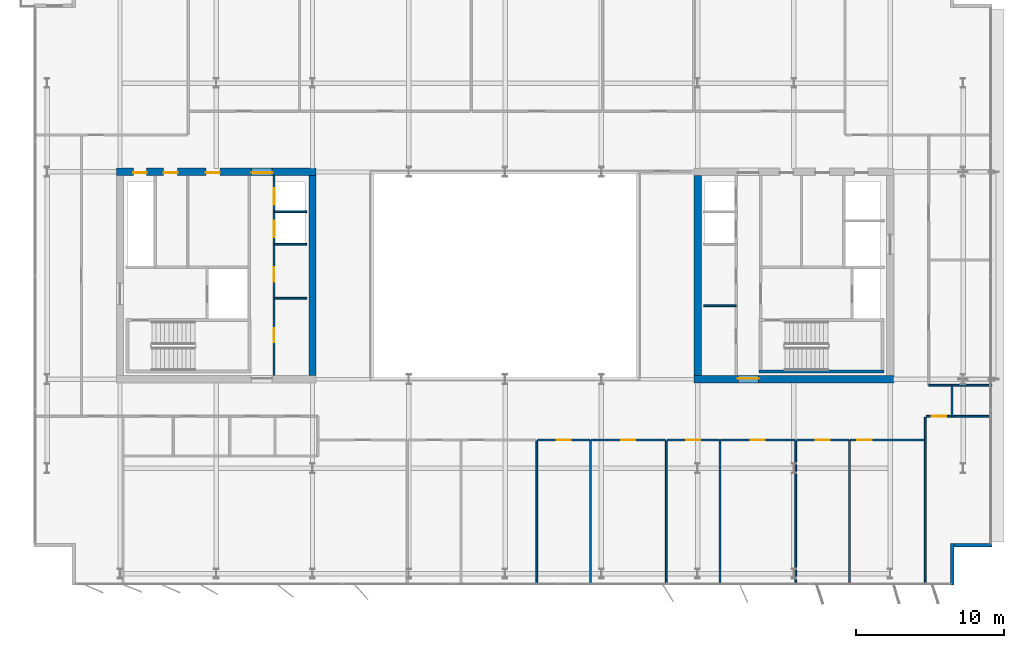
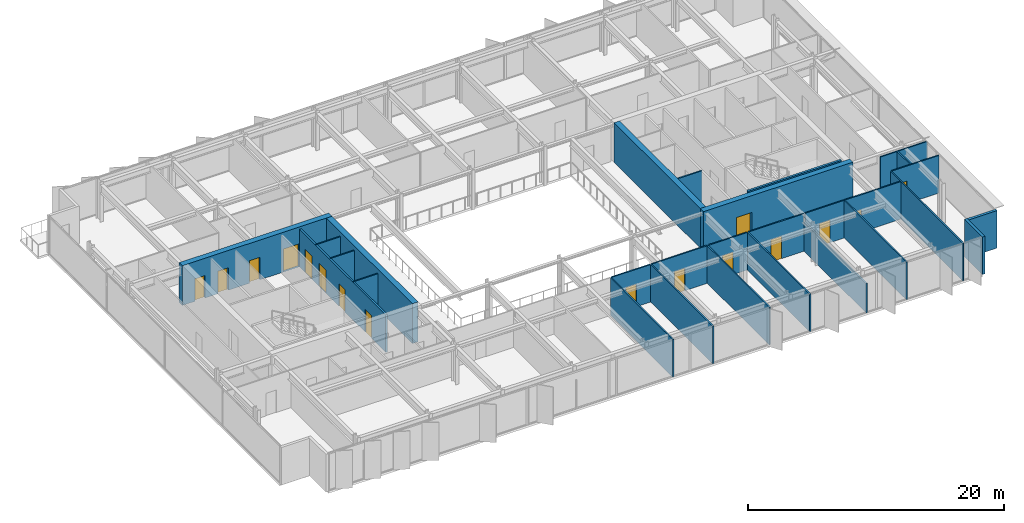
# One storey, part 14 of 20: 28 walls, 16 doors, 16 openings.
"""IFC4 building model written with IfcOpenShell, lengths in metres."""

import ifcopenshell
import ifcopenshell.guid

model = None  # the IFC model being written
_history = None  # IfcOwnerHistory: only IFC2X3 demands one
_inside = {}  # id of a spatial element -> (the spatial element, [elements in it])
_under = {}  # id of a project, library or spatial element -> (it, [spatial elements below it])
_declared = {}  # id of a project -> (the project, [libraries it declares])
_typed = {}  # id of a type object -> (the type object, [elements of that type])
_made_of = {}  # id of a material, layer set ... -> (it, [elements and type objects made of it])


def new_model(schema):
    """Start an empty IFC model of exactly this schema.

    Asked for "IFC4X3", IfcOpenShell would pick the latest addendum, in which some entities
    have other attributes; the version numbers below select the first issue.
    IFC2X3 requires an IfcOwnerHistory on every rooted entity: one is made here for all.
    """
    global model, _history
    if schema == "IFC4X3":
        model = ifcopenshell.file(schema_version=(4, 3, 0, 0))
    else:
        model = ifcopenshell.file(schema=schema)
    _inside.clear()
    _under.clear()
    _declared.clear()
    _typed.clear()
    _made_of.clear()
    _history = None
    if model.schema == "IFC2X3":
        org = make("IfcOrganization", Name="unknown")
        user = make(
            "IfcPersonAndOrganization",
            ThePerson=make("IfcPerson", FamilyName="unknown"),
            TheOrganization=org,
        )
        app = make(
            "IfcApplication",
            ApplicationDeveloper=org,
            Version="unknown",
            ApplicationFullName="unknown",
            ApplicationIdentifier="unknown",
        )
        _history = make(
            "IfcOwnerHistory",
            OwningUser=user,
            OwningApplication=app,
            ChangeAction="ADDED",
            CreationDate=0,
        )
    return model


def make(cls, **values):
    """One entity of the class cls with the attributes given. An attribute that is None is left unset."""
    return model.create_entity(
        cls, **{name: value for name, value in values.items() if value is not None}
    )


def rooted(cls, **values):
    """An entity with a GlobalId (a new one), such as an element, a storey or a relation."""
    return make(cls, GlobalId=ifcopenshell.guid.new(), OwnerHistory=_history, **values)


def si_unit(unit_type, name, prefix=None):
    """IfcSIUnit, for example si_unit("LENGTHUNIT", "METRE", prefix="MILLI")."""
    return make("IfcSIUnit", UnitType=unit_type, Prefix=prefix, Name=name)


def assignment(units):
    """IfcUnitAssignment: the units of a project."""
    return None if units is None else make("IfcUnitAssignment", Units=units)


def point(xyz):
    """IfcCartesianPoint."""
    return None if xyz is None else make("IfcCartesianPoint", Coordinates=xyz)


def direction(xyz):
    """IfcDirection."""
    return None if xyz is None else make("IfcDirection", DirectionRatios=xyz)


def frame(location, z_axis=None, x_axis=None):
    """IfcAxis2Placement3D, a coordinate frame: its origin and axes. An axis left out is left unset."""
    return make(
        "IfcAxis2Placement3D",
        Location=point(location),
        Axis=direction(z_axis),
        RefDirection=direction(x_axis),
    )


def frame_2d(location, x_axis=None):
    """IfcAxis2Placement2D, a coordinate frame in the plane: its origin and x axis."""
    return make(
        "IfcAxis2Placement2D", Location=point(location), RefDirection=direction(x_axis)
    )


def origin():
    """The frame at (0, 0, 0) with its axes left unset."""
    return frame((0.0, 0.0, 0.0))


def place(relative_to, where):
    """IfcLocalPlacement: puts the frame where relative to a parent placement (None: the world)."""
    return make(
        "IfcLocalPlacement", PlacementRelTo=relative_to, RelativePlacement=where
    )


def context(
    kind, dimensions, precision=None, world=None, true_north=None, identifier=None
):
    """IfcGeometricRepresentationContext, for example the 3D "Model" context."""
    return make(
        "IfcGeometricRepresentationContext",
        ContextIdentifier=identifier,
        ContextType=kind,
        CoordinateSpaceDimension=dimensions,
        Precision=precision,
        WorldCoordinateSystem=world,
        TrueNorth=true_north,
    )


def subcontext(parent, identifier, kind, view, scale=None):
    """IfcGeometricRepresentationSubContext, for example "Body" below "Model"."""
    return make(
        "IfcGeometricRepresentationSubContext",
        ContextIdentifier=identifier,
        ContextType=kind,
        ParentContext=parent,
        TargetScale=scale,
        TargetView=view,
    )


def project(units=None, contexts=None):
    """IfcProject with its units and contexts."""
    return rooted(
        "IfcProject",
        Name="project",
        RepresentationContexts=contexts,
        UnitsInContext=assignment(units),
    )


def spatial(cls, under=None, at=None, **own):
    """A site, building, storey or space (cls), placed at a placement, below another one or the project."""
    s = rooted(cls, ObjectPlacement=at, **own)
    if under is not None:
        _under.setdefault(under.id(), (under, []))[1].append(s)
    return s


def profile(cls, at=None, kind="AREA", **sizes):
    """A parametric profile (cls). Its sizes go by their IFC names, for example OverallWidth=200.0."""
    return make(cls, ProfileType=kind, Position=at, **sizes)


def rectangle(**sizes):
    """IfcRectangleProfileDef."""
    return profile("IfcRectangleProfileDef", **sizes)


def extrude(swept, where, along, depth):
    """IfcExtrudedAreaSolid: the profile swept, set in the frame where, extruded along a direction by depth."""
    return make(
        "IfcExtrudedAreaSolid",
        SweptArea=swept,
        Position=where,
        ExtrudedDirection=direction(along),
        Depth=depth,
    )


def shape(context_of_items, identifier, shape_type, items):
    """IfcShapeRepresentation: the items that make up one representation, for example the "Body"."""
    return make(
        "IfcShapeRepresentation",
        ContextOfItems=context_of_items,
        RepresentationIdentifier=identifier,
        RepresentationType=shape_type,
        Items=items,
    )


def material(Name=None, Category=None):
    """IfcMaterial."""
    return make("IfcMaterial", Name=Name, Category=Category)


def layer(
    of_material, thickness, ventilated=None, Name=None, Category=None, Priority=None
):
    """IfcMaterialLayer: one layer of a wall or slab, of a material (None: an air gap)."""
    return make(
        "IfcMaterialLayer",
        Material=of_material,
        LayerThickness=thickness,
        IsVentilated=ventilated,
        Name=Name,
        Category=Category,
        Priority=Priority,
    )


def layer_set(layers, Name=None):
    """IfcMaterialLayerSet."""
    return make("IfcMaterialLayerSet", MaterialLayers=layers, LayerSetName=Name)


def made_of(thing, what):
    """Note that an element or type object is made of a material, layer set ...; save() writes the relation."""
    if what is not None:
        _made_of.setdefault(what.id(), (what, []))[1].append(thing)
    return thing


def type_object(cls, material=None, **own):
    """A type object (cls), such as IfcWallType, which elements share."""
    return made_of(rooted(cls, **own), material)


def element(
    cls,
    number,
    at=None,
    inside=None,
    cuts=None,
    type_object=None,
    material=None,
    context=None,
    identifier="Body",
    shape_type=None,
    held_by="IfcProductDefinitionShape",
    body=None,
    shapes=None,
    **own,
):
    """One element of the class cls, such as IfcWall. Its Tag is "e" and its number.

    at: its placement. inside: the storey or other place that contains it. cuts: it is an
    opening in that element (IfcRelVoidsElement). A single representation is given by context,
    identifier, shape_type and body (its items); several are given by shapes. held_by: the class
    of the entity that holds the representations. save() writes the other relations.
    """
    e = rooted(cls, Tag="e%d" % number, ObjectPlacement=at, **own)
    if body is not None:
        shapes = [shape(context, identifier, shape_type, body)]
    if shapes is not None:
        e.Representation = make(held_by, Representations=shapes)
    if inside is not None:
        _inside.setdefault(inside.id(), (inside, []))[1].append(e)
    if cuts is not None:
        rooted(
            "IfcRelVoidsElement", RelatingBuildingElement=cuts, RelatedOpeningElement=e
        )
    if type_object is not None:
        _typed.setdefault(type_object.id(), (type_object, []))[1].append(e)
    return made_of(e, material)


def fill(opening, filler):
    """IfcRelFillsElement: the door or window that sits in an opening."""
    return rooted(
        "IfcRelFillsElement",
        RelatingOpeningElement=opening,
        RelatedBuildingElement=filler,
    )


def aggregate(whole, parts):
    """IfcRelAggregates: a whole, such as a stair, and the parts it consists of."""
    return rooted("IfcRelAggregates", RelatingObject=whole, RelatedObjects=parts)


def save(model, path):
    """Write the relations noted so far, then the file.

    IfcRelAggregates (storeys below a building ...), IfcRelContainedInSpatialStructure (elements
    in a storey), IfcRelDefinesByType, IfcRelAssociatesMaterial and IfcRelDeclares: one each for
    every whole, place, type object, material and project.
    """
    for whole, parts in _under.values():
        aggregate(whole, parts)
    for where, things in _inside.values():
        rooted(
            "IfcRelContainedInSpatialStructure",
            RelatedElements=things,
            RelatingStructure=where,
        )
    for kind, things in _typed.values():
        rooted("IfcRelDefinesByType", RelatedObjects=things, RelatingType=kind)
    for what, things in _made_of.values():
        rooted("IfcRelAssociatesMaterial", RelatedObjects=things, RelatingMaterial=what)
    for by, libraries in _declared.values():
        rooted("IfcRelDeclares", RelatingContext=by, RelatedDefinitions=libraries)
    model.write(path)


model = new_model("IFC4")

# Units and contexts
model_context = context("Model", 3, precision=1e-05, world=origin(), true_north=direction((0.0, 1.0)))
body_context = subcontext(model_context, "Body", "Model", "MODEL_VIEW")
ifc_project = project(units=[si_unit("LENGTHUNIT", "METRE"), si_unit("AREAUNIT", "SQUARE_METRE"), si_unit("VOLUMEUNIT", "CUBIC_METRE"), si_unit("PLANEANGLEUNIT", "RADIAN"), si_unit("MASSUNIT", "GRAM", prefix="KILO")], contexts=[model_context])

# Site, building, storey
site_placement = place(None, origin())
site = spatial("IfcSite", under=ifc_project, at=site_placement, CompositionType="ELEMENT")
building_placement = place(site_placement, origin())
building = spatial("IfcBuilding", under=site, at=building_placement, Name="Putna Gate Headquarters", CompositionType="ELEMENT")
storey_placement = place(building_placement, frame((0.0, 0.0, 274.60009765625)))
storey = spatial("IfcBuildingStorey", under=building, at=storey_placement, Name="L69", CompositionType="ELEMENT", Elevation=274.60009765625)

# Wall, openings, doors
ifc_material_1 = material(Name="Concrete C50/60", Category="concrete")
ifc_layer_1 = layer(ifc_material_1, 0.5)
ifc_layer_set_1 = layer_set([ifc_layer_1], Name="Concrete C50/60")
wall_type_1 = type_object("IfcWallType", Name="WALL-CORE-500", PredefinedType="SHEAR", material=ifc_layer_set_1)
wall_1_placement = place(storey_placement, frame((12.75, 33.0, 0.0), z_axis=(0.0, 0.0, 1.0), x_axis=(1.0, 0.0, 0.0)))
wall_1 = element("IfcWall", 1, at=wall_1_placement, inside=storey, type_object=wall_type_1, Name="L69 WC Split Core Shear Wall N", PredefinedType="SHEAR", context=body_context, shape_type="SweptSolid", body=[
    extrude(rectangle(XDim=13.5, YDim=0.5, at=frame_2d((6.75, 0.0))), origin(), (0.0, 0.0, 1.0), 3.7998046875),
])
opening_1_placement = place(wall_1_placement, frame((1.14990234375, 0.0, 0.0)))
opening_1 = element("IfcOpeningElement", 2, at=opening_1_placement, cuts=wall_1, Name="Opening RD-90", PredefinedType="OPENING", context=body_context, shape_type="SweptSolid", body=[
    extrude(rectangle(XDim=0.89990234375, YDim=2.14990234375, at=frame_2d((0.449951171875, 1.074951171875))), frame((0.0, 0.260009765625, 0.0), z_axis=(0.0, -1.0, 0.0), x_axis=(1.0, 0.0, 0.0)), (0.0, 0.0, 1.0), 0.52001953125),
])
opening_2_placement = place(wall_1_placement, frame((3.199951171875, 0.0, 0.0)))
opening_2 = element("IfcOpeningElement", 3, at=opening_2_placement, cuts=wall_1, Name="Opening IDS-95", PredefinedType="OPENING", context=body_context, shape_type="SweptSolid", body=[
    extrude(rectangle(XDim=0.949951171875, YDim=2.14990234375, at=frame_2d((0.47509765625, 1.074951171875))), frame((0.0, 0.260009765625, 0.0), z_axis=(0.0, -1.0, 0.0), x_axis=(1.0, 0.0, 0.0)), (0.0, 0.0, 1.0), 0.52001953125),
])
opening_3_placement = place(wall_1_placement, frame((6.050048828125, 0.0, 0.0)))
opening_3 = element("IfcOpeningElement", 4, at=opening_3_placement, cuts=wall_1, Name="Opening IDS-95", PredefinedType="OPENING", context=body_context, shape_type="SweptSolid", body=[
    extrude(rectangle(XDim=0.949951171875, YDim=2.14990234375, at=frame_2d((0.47509765625, 1.074951171875))), frame((0.0, 0.260009765625, 0.0), z_axis=(0.0, -1.0, 0.0), x_axis=(1.0, 0.0, 0.0)), (0.0, 0.0, 1.0), 0.52001953125),
])
opening_4_placement = place(wall_1_placement, frame((9.1298828125, 0.0, 0.0)))
opening_4 = element("IfcOpeningElement", 5, at=opening_4_placement, cuts=wall_1, Name="Opening FDD-140", PredefinedType="OPENING", context=body_context, shape_type="SweptSolid", body=[
    extrude(rectangle(XDim=1.39990234375, YDim=2.199951171875, at=frame_2d((0.699951171875, 1.10009765625))), frame((0.0, 0.260009765625, 0.0), z_axis=(0.0, -1.0, 0.0), x_axis=(1.0, 0.0, 0.0)), (0.0, 0.0, 1.0), 0.52001953125),
])
ifc_material_2 = material(Name="Double steel fire door", Category="steel")
door_type_1 = type_object("IfcDoorType", Name="DOOR-FIRE-DBL-1400", OperationType="DOUBLE_DOOR_SINGLE_SWING", PredefinedType="DOOR", material=ifc_material_2)
door_1_placement = place(opening_4_placement, origin())
door_1 = element("IfcDoor", 6, at=door_1_placement, inside=storey, type_object=door_type_1, Name="L69 West Lift Lobby North Door", OperationType="DOUBLE_DOOR_SINGLE_SWING", OverallHeight=2.199951171875, OverallWidth=1.39990234375, PredefinedType="DOOR", context=body_context, shape_type="SweptSolid", body=[
    extrude(rectangle(XDim=1.39990234375, YDim=2.199951171875, at=frame_2d((0.699951171875, 1.10009765625))), frame((0.0, -0.02490234375, 0.0), z_axis=(0.0, -1.0, 0.0), x_axis=(1.0, 0.0, 0.0)), (0.0, 0.0, 1.0), 0.050048828125),
])
fill(opening_4, door_1)
ifc_material_3 = material(Name="Fire-rated service timber door", Category="wood")
door_type_2 = type_object("IfcDoorType", Name="DOOR-INT-950", OperationType="NOTDEFINED", PredefinedType="DOOR", material=ifc_material_3)
door_2_placement = place(opening_2_placement, origin())
door_2 = element("IfcDoor", 7, at=door_2_placement, inside=storey, type_object=door_type_2, Name="L69 Archive Store Door", OperationType="SINGLE_SWING_LEFT", OverallHeight=2.14990234375, OverallWidth=0.949951171875, PredefinedType="DOOR", context=body_context, shape_type="SweptSolid", body=[
    extrude(rectangle(XDim=0.949951171875, YDim=2.14990234375, at=frame_2d((0.47509765625, 1.074951171875))), frame((0.0, -0.02490234375, 0.0), z_axis=(0.0, -1.0, 0.0), x_axis=(1.0, 0.0, 0.0)), (0.0, 0.0, 1.0), 0.050048828125),
])
fill(opening_2, door_2)
door_3_placement = place(opening_3_placement, origin())
door_3 = element("IfcDoor", 8, at=door_3_placement, inside=storey, type_object=door_type_2, Name="L69 Switchgear Plant Door", OperationType="SINGLE_SWING_RIGHT", OverallHeight=2.14990234375, OverallWidth=0.949951171875, PredefinedType="DOOR", context=body_context, shape_type="SweptSolid", body=[
    extrude(rectangle(XDim=0.949951171875, YDim=2.14990234375, at=frame_2d((0.47509765625, 1.074951171875))), frame((0.0, -0.02490234375, 0.0), z_axis=(0.0, -1.0, 0.0), x_axis=(1.0, 0.0, 0.0)), (0.0, 0.0, 1.0), 0.050048828125),
])
fill(opening_3, door_3)
ifc_material_4 = material(Name="Steel riser access fire door", Category="steel")
door_type_3 = type_object("IfcDoorType", Name="DOOR-RISER-900", OperationType="NOTDEFINED", PredefinedType="DOOR", material=ifc_material_4)
door_4_placement = place(opening_1_placement, origin())
door_4 = element("IfcDoor", 9, at=door_4_placement, inside=storey, type_object=door_type_3, Name="L69 West Riser Access Door", OperationType="SINGLE_SWING_RIGHT", OverallHeight=2.14990234375, OverallWidth=0.89990234375, PredefinedType="DOOR", context=body_context, shape_type="SweptSolid", body=[
    extrude(rectangle(XDim=0.89990234375, YDim=2.14990234375, at=frame_2d((0.449951171875, 1.074951171875))), frame((0.0, -0.02490234375, 0.0), z_axis=(0.0, -1.0, 0.0), x_axis=(1.0, 0.0, 0.0)), (0.0, 0.0, 1.0), 0.050048828125),
])
fill(opening_1, door_4)

# Wall
wall_2_placement = place(storey_placement, frame((26.0, 19.25, 0.0), z_axis=(0.0, 0.0, 1.0), x_axis=(0.0, 1.0, 0.0)))
element("IfcWall", 10, at=wall_2_placement, inside=storey, type_object=wall_type_1, Name="L69 WC Split Core Shear Wall E", PredefinedType="SHEAR", context=body_context, shape_type="SweptSolid", body=[
    extrude(rectangle(XDim=13.5, YDim=0.5, at=frame_2d((6.75, 0.0))), origin(), (0.0, 0.0, 1.0), 3.7998046875),
])

# Wall, opening, door
wall_3_placement = place(storey_placement, frame((51.75, 19.0, 0.0), z_axis=(0.0, 0.0, 1.0), x_axis=(1.0, 0.0, 0.0)))
wall_3 = element("IfcWall", 11, at=wall_3_placement, inside=storey, type_object=wall_type_1, Name="L69 EC Split Core Shear Wall S", PredefinedType="SHEAR", context=body_context, shape_type="SweptSolid", body=[
    extrude(rectangle(XDim=13.5, YDim=0.5, at=frame_2d((6.75, 0.0))), origin(), (0.0, 0.0, 1.0), 3.7998046875),
])
opening_5_placement = place(wall_3_placement, frame((2.969970703125, 0.0, 0.0)))
opening_5 = element("IfcOpeningElement", 12, at=opening_5_placement, cuts=wall_3, Name="Opening FDD-140", PredefinedType="OPENING", context=body_context, shape_type="SweptSolid", body=[
    extrude(rectangle(XDim=1.39990234375, YDim=2.199951171875, at=frame_2d((0.699951171875, 1.10009765625))), frame((0.0, 0.260009765625, 0.0), z_axis=(0.0, -1.0, 0.0), x_axis=(1.0, 0.0, 0.0)), (0.0, 0.0, 1.0), 0.52001953125),
])
door_5_placement = place(opening_5_placement, origin())
door_5 = element("IfcDoor", 13, at=door_5_placement, inside=storey, type_object=door_type_1, Name="L69 East Lift Lobby South Door", OperationType="DOUBLE_DOOR_SINGLE_SWING", OverallHeight=2.199951171875, OverallWidth=1.39990234375, PredefinedType="DOOR", context=body_context, shape_type="SweptSolid", body=[
    extrude(rectangle(XDim=1.39990234375, YDim=2.199951171875, at=frame_2d((0.699951171875, 1.10009765625))), frame((0.0, 0.0751953125, 0.0), z_axis=(0.0, -1.0, 0.0), x_axis=(1.0, 0.0, 0.0)), (0.0, 0.0, 1.0), 0.050048828125),
])
fill(opening_5, door_5)

# Walls
wall_4_placement = place(storey_placement, frame((52.0, 19.25, 0.0), z_axis=(0.0, 0.0, 1.0), x_axis=(0.0, 1.0, 0.0)))
element("IfcWall", 14, at=wall_4_placement, inside=storey, type_object=wall_type_1, Name="L69 EC Split Core Shear Wall W", PredefinedType="SHEAR", context=body_context, shape_type="SweptSolid", body=[
    extrude(rectangle(XDim=13.5, YDim=0.5, at=frame_2d((6.75, 0.0))), origin(), (0.0, 0.0, 1.0), 3.7998046875),
])
ifc_material_5 = material(Name="Precast concrete C40/50", Category="concrete")
ifc_layer_2 = layer(ifc_material_5, 0.239990234375)
ifc_layer_set_2 = layer_set([ifc_layer_2], Name="Precast concrete C40/50")
wall_type_2 = type_object("IfcWallType", Name="WALL-EXT-TERR-240", PredefinedType="STANDARD", material=ifc_layer_set_2)
wall_5_placement = place(storey_placement, frame((69.184814453125, 7.89990234375, 0.0), z_axis=(0.0, 0.0, 1.0), x_axis=(0.0, -1.0, 0.0)))
element("IfcWall", 15, at=wall_5_placement, inside=storey, type_object=wall_type_2, Name="L69 Corner Notch Return Wall SE-V", PredefinedType="STANDARD", context=body_context, shape_type="SweptSolid", body=[
    extrude(rectangle(XDim=2.7998046875, YDim=0.239990234375, at=frame_2d((1.39990234375, 0.0))), origin(), (0.0, 0.0, 1.0), 3.587890625),
])
wall_6_placement = place(storey_placement, frame((71.864990234375, 7.780029296875, 0.0), z_axis=(0.0, 0.0, 1.0), x_axis=(-1.0, 0.0, 0.0)))
element("IfcWall", 16, at=wall_6_placement, inside=storey, type_object=wall_type_2, Name="L69 Corner Notch Return Wall SE-H", PredefinedType="STANDARD", context=body_context, shape_type="SweptSolid", body=[
    extrude(rectangle(XDim=2.800048828125, YDim=0.239990234375, at=frame_2d((1.39990234375, 0.0))), origin(), (0.0, 0.0, 1.0), 3.587890625),
])
ifc_material_6 = material(Name="Acoustic gypsum board on metal stud")
ifc_layer_3 = layer(ifc_material_6, 0.1201171875)
ifc_layer_set_3 = layer_set([ifc_layer_3], Name="Acoustic gypsum board on metal stud")
wall_type_3 = type_object("IfcWallType", Name="WALL-PART-120", PredefinedType="PARTITIONING", material=ifc_layer_set_3)
for number, where, z_axis, x_axis, name in (
    (17, (41.141845703125, 5.1201171875, 0.0), (0.0, 0.0, 1.0), (0.0, 1.0, 0.0), "L69 Interior Wall PART-L69-SB-DIV-04"),
    (18, (44.7666015625, 5.1201171875, 0.0), (0.0, 0.0, 1.0), (0.0, 1.0, 0.0), "L69 Interior Wall PART-L69-SB-DIV-05"),
    (19, (49.883544921875, 5.1201171875, 0.0), (0.0, 0.0, 1.0), (0.0, 1.0, 0.0), "L69 Interior Wall PART-L69-SB-DIV-06"),
    (20, (53.50830078125, 5.1201171875, 0.0), (0.0, 0.0, 1.0), (0.0, 1.0, 0.0), "L69 Interior Wall PART-L69-SB-DIV-07"),
):
    element("IfcWall", number, at=place(storey_placement, frame(where, z_axis=z_axis, x_axis=x_axis)), inside=storey, type_object=wall_type_3, Name=name, PredefinedType="PARTITIONING", context=body_context, shape_type="SweptSolid", body=[
        extrude(rectangle(XDim=9.719970703125, YDim=0.1201171875, at=frame_2d((4.85986328125, 0.0))), origin(), (0.0, 0.0, 1.0), 3.587890625),
    ])
wall_7_placement = place(storey_placement, frame((58.62548828125, 5.1201171875, 0.0), z_axis=(0.0, 0.0, 1.0), x_axis=(0.0, 1.0, 0.0)))
element("IfcWall", 21, at=wall_7_placement, inside=storey, type_object=wall_type_3, Name="L69 Interior Wall PART-L69-SB-DIV-08", PredefinedType="PARTITIONING", context=body_context, shape_type="SweptSolid", body=[
    extrude(rectangle(XDim=9.719970703125, YDim=0.1201171875, at=frame_2d((4.85986328125, 0.0))), origin(), (0.0, 0.0, 1.0), 2.787841796875),
])
wall_8_placement = place(storey_placement, frame((62.25, 5.1201171875, 0.0), z_axis=(0.0, 0.0, 1.0), x_axis=(0.0, 1.0, 0.0)))
element("IfcWall", 22, at=wall_8_placement, inside=storey, type_object=wall_type_3, Name="L69 Interior Wall PART-L69-SB-DIV-09", PredefinedType="PARTITIONING", context=body_context, shape_type="SweptSolid", body=[
    extrude(rectangle(XDim=9.719970703125, YDim=0.1201171875, at=frame_2d((4.85986328125, 0.0))), origin(), (0.0, 0.0, 1.0), 3.587890625),
])
wall_9_placement = place(storey_placement, frame((67.3671875, 5.1201171875, 0.0), z_axis=(0.0, 0.0, 1.0), x_axis=(0.0, 1.0, 0.0)))
element("IfcWall", 23, at=wall_9_placement, inside=storey, type_object=wall_type_3, Name="L69 Interior Wall PART-L69-SB-DIV-10", PredefinedType="PARTITIONING", context=body_context, shape_type="SweptSolid", body=[
    extrude(rectangle(XDim=11.31982421875, YDim=0.1201171875, at=frame_2d((5.659912109375, 0.0))), origin(), (0.0, 0.0, 1.0), 3.587890625),
])
ifc_material_7 = material(Name="Fire-rated shaftwall gypsum board on metal stud")
ifc_layer_4 = layer(ifc_material_7, 0.1201171875)
ifc_layer_set_4 = layer_set([ifc_layer_4], Name="Fire-rated shaftwall gypsum board on metal stud")
wall_type_4 = type_object("IfcWallType", Name="WALL-PART-120-EI120", PredefinedType="PARTITIONING", material=ifc_layer_set_4)
wall_10_placement = place(storey_placement, frame((23.39990234375, 30.31005859375, 0.0), z_axis=(0.0, 0.0, 1.0), x_axis=(1.0, 0.0, 0.0)))
element("IfcWall", 24, at=wall_10_placement, inside=storey, type_object=wall_type_4, Name="L69 Interior Wall CWINT-L69-WC-LF09-DIV", PredefinedType="PARTITIONING", context=body_context, shape_type="SweptSolid", body=[
    extrude(rectangle(XDim=2.2001953125, YDim=0.1201171875, at=frame_2d((1.10009765625, 0.0))), origin(), (0.0, 0.0, 1.0), 3.587890625),
])
ifc_material_8 = material(Name="Fire-rated gypsum board on metal stud")
ifc_layer_5 = layer(ifc_material_8, 0.1201171875)
ifc_layer_set_5 = layer_set([ifc_layer_5], Name="Fire-rated gypsum board on metal stud")
wall_type_5 = type_object("IfcWallType", Name="WALL-PART-120-RATED", PredefinedType="PARTITIONING", material=ifc_layer_set_5)
for number, where, z_axis, x_axis, name in (
    (25, (23.39990234375, 24.469970703125, 0.0), (0.0, 0.0, 1.0), (1.0, 0.0, 0.0), "L69 Interior Wall CWINT-L69-WC-REUSE-DIV"),
    (26, (23.39990234375, 28.1201171875, 0.0), (0.0, 0.0, 1.0), (1.0, 0.0, 0.0), "L69 Interior Wall CWINT-L69-WC-LF06-DIV"),
    (27, (52.39990234375, 23.969970703125, 0.0), (0.0, 0.0, 1.0), (1.0, 0.0, 0.0), "L69 Interior Wall CWINT-L69-EC-REUSE-DIV"),
):
    element("IfcWall", number, at=place(storey_placement, frame(where, z_axis=z_axis, x_axis=x_axis)), inside=storey, type_object=wall_type_5, Name=name, PredefinedType="PARTITIONING", context=body_context, shape_type="SweptSolid", body=[
        extrude(rectangle(XDim=2.2001953125, YDim=0.1201171875, at=frame_2d((1.10009765625, 0.0))), origin(), (0.0, 0.0, 1.0), 3.587890625),
    ])
wall_11_placement = place(storey_placement, frame((69.167236328125, 16.5, 0.0), z_axis=(0.0, 0.0, 1.0), x_axis=(0.0, 1.0, 0.0)))
element("IfcWall", 28, at=wall_11_placement, inside=storey, type_object=wall_type_5, Name="L69 Interior Wall PART-L69-CORRS-CAPE", PredefinedType="PARTITIONING", context=body_context, shape_type="SweptSolid", body=[
    extrude(rectangle(XDim=2.10009765625, YDim=0.1201171875, at=frame_2d((1.050048828125, 0.0))), origin(), (0.0, 0.0, 1.0), 3.587890625),
])

# Wall, opening, door
wall_12_placement = place(storey_placement, frame((41.201904296875, 14.89990234375, 0.0), z_axis=(0.0, 0.0, 1.0), x_axis=(1.0, 0.0, 0.0)))
wall_12 = element("IfcWall", 29, at=wall_12_placement, inside=storey, type_object=wall_type_5, Name="L69 Interior Wall PART-L69-SB-CW-05", PredefinedType="PARTITIONING", context=body_context, shape_type="SweptSolid", body=[
    extrude(rectangle(XDim=3.504638671875, YDim=0.1201171875, at=frame_2d((1.75244140625, 0.0))), origin(), (0.0, 0.0, 1.0), 3.587890625),
])
opening_6_placement = place(wall_12_placement, frame((1.27734375, 0.0, 0.0)))
opening_6 = element("IfcOpeningElement", 30, at=opening_6_placement, cuts=wall_12, Name="Opening FD-95", PredefinedType="OPENING", context=body_context, shape_type="SweptSolid", body=[
    extrude(rectangle(XDim=0.949951171875, YDim=2.14990234375, at=frame_2d((0.47509765625, 1.074951171875))), frame((0.0, 0.070068359375, 0.0), z_axis=(0.0, -1.0, 0.0), x_axis=(1.0, 0.0, 0.0)), (0.0, 0.0, 1.0), 0.14013671875),
])
ifc_material_9 = material(Name="Acoustic timber fire door", Category="wood")
door_type_4 = type_object("IfcDoorType", Name="DOOR-FIRE-950", OperationType="NOTDEFINED", PredefinedType="DOOR", material=ifc_material_9)
door_6_placement = place(opening_6_placement, origin())
door_6 = element("IfcDoor", 31, at=door_6_placement, inside=storey, type_object=door_type_4, Name="L69 Cellular Office 7 Door", OperationType="SINGLE_SWING_LEFT", OverallHeight=2.14990234375, OverallWidth=0.949951171875, PredefinedType="DOOR", context=body_context, shape_type="SweptSolid", body=[
    extrude(rectangle(XDim=0.949951171875, YDim=2.14990234375, at=frame_2d((0.47509765625, 1.074951171875))), frame((0.0, 0.02490234375, 0.0), z_axis=(0.0, -1.0, 0.0), x_axis=(1.0, 0.0, 0.0)), (0.0, 0.0, 1.0), 0.050048828125),
])
fill(opening_6, door_6)

wall_13_placement = place(storey_placement, frame((44.826416015625, 14.89990234375, 0.0), z_axis=(0.0, 0.0, 1.0), x_axis=(1.0, 0.0, 0.0)))
wall_13 = element("IfcWall", 32, at=wall_13_placement, inside=storey, type_object=wall_type_5, Name="L69 Interior Wall PART-L69-SB-CW-06", PredefinedType="PARTITIONING", context=body_context, shape_type="SweptSolid", body=[
    extrude(rectangle(XDim=4.9970703125, YDim=0.1201171875, at=frame_2d((2.49853515625, 0.0))), origin(), (0.0, 0.0, 1.0), 3.587890625),
])
opening_7_placement = place(wall_13_placement, frame((2.023681640625, 0.0, 0.0)))
opening_7 = element("IfcOpeningElement", 33, at=opening_7_placement, cuts=wall_13, Name="Opening FD-95", PredefinedType="OPENING", context=body_context, shape_type="SweptSolid", body=[
    extrude(rectangle(XDim=0.949951171875, YDim=2.14990234375, at=frame_2d((0.47509765625, 1.074951171875))), frame((0.0, 0.070068359375, 0.0), z_axis=(0.0, -1.0, 0.0), x_axis=(1.0, 0.0, 0.0)), (0.0, 0.0, 1.0), 0.14013671875),
])
door_7_placement = place(opening_7_placement, origin())
door_7 = element("IfcDoor", 34, at=door_7_placement, inside=storey, type_object=door_type_4, Name="L69 Conference Meeting Room 1 Door", OperationType="SINGLE_SWING_RIGHT", OverallHeight=2.14990234375, OverallWidth=0.949951171875, PredefinedType="DOOR", context=body_context, shape_type="SweptSolid", body=[
    extrude(rectangle(XDim=0.949951171875, YDim=2.14990234375, at=frame_2d((0.47509765625, 1.074951171875))), frame((0.0, 0.02490234375, 0.0), z_axis=(0.0, -1.0, 0.0), x_axis=(1.0, 0.0, 0.0)), (0.0, 0.0, 1.0), 0.050048828125),
])
fill(opening_7, door_7)

wall_14_placement = place(storey_placement, frame((49.943603515625, 14.89990234375, 0.0), z_axis=(0.0, 0.0, 1.0), x_axis=(1.0, 0.0, 0.0)))
wall_14 = element("IfcWall", 35, at=wall_14_placement, inside=storey, type_object=wall_type_5, Name="L69 Interior Wall PART-L69-SB-CW-07", PredefinedType="PARTITIONING", context=body_context, shape_type="SweptSolid", body=[
    extrude(rectangle(XDim=3.504638671875, YDim=0.1201171875, at=frame_2d((1.75244140625, 0.0))), origin(), (0.0, 0.0, 1.0), 3.587890625),
])
opening_8_placement = place(wall_14_placement, frame((1.27734375, 0.0, 0.0)))
opening_8 = element("IfcOpeningElement", 36, at=opening_8_placement, cuts=wall_14, Name="Opening FD-95", PredefinedType="OPENING", context=body_context, shape_type="SweptSolid", body=[
    extrude(rectangle(XDim=0.949951171875, YDim=2.14990234375, at=frame_2d((0.47509765625, 1.074951171875))), frame((0.0, 0.070068359375, 0.0), z_axis=(0.0, -1.0, 0.0), x_axis=(1.0, 0.0, 0.0)), (0.0, 0.0, 1.0), 0.14013671875),
])
door_8_placement = place(opening_8_placement, origin())
door_8 = element("IfcDoor", 37, at=door_8_placement, inside=storey, type_object=door_type_4, Name="L69 Conference Meeting Room 2 Door", OperationType="SINGLE_SWING_LEFT", OverallHeight=2.14990234375, OverallWidth=0.949951171875, PredefinedType="DOOR", context=body_context, shape_type="SweptSolid", body=[
    extrude(rectangle(XDim=0.949951171875, YDim=2.14990234375, at=frame_2d((0.47509765625, 1.074951171875))), frame((0.0, 0.02490234375, 0.0), z_axis=(0.0, -1.0, 0.0), x_axis=(1.0, 0.0, 0.0)), (0.0, 0.0, 1.0), 0.050048828125),
])
fill(opening_8, door_8)

wall_15_placement = place(storey_placement, frame((53.568359375, 14.89990234375, 0.0), z_axis=(0.0, 0.0, 1.0), x_axis=(1.0, 0.0, 0.0)))
wall_15 = element("IfcWall", 38, at=wall_15_placement, inside=storey, type_object=wall_type_5, Name="L69 Interior Wall PART-L69-SB-CW-08", PredefinedType="PARTITIONING", context=body_context, shape_type="SweptSolid", body=[
    extrude(rectangle(XDim=4.9970703125, YDim=0.1201171875, at=frame_2d((2.49853515625, 0.0))), origin(), (0.0, 0.0, 1.0), 3.587890625),
])
opening_9_placement = place(wall_15_placement, frame((2.023681640625, 0.0, 0.0)))
opening_9 = element("IfcOpeningElement", 39, at=opening_9_placement, cuts=wall_15, Name="Opening FD-95", PredefinedType="OPENING", context=body_context, shape_type="SweptSolid", body=[
    extrude(rectangle(XDim=0.949951171875, YDim=2.14990234375, at=frame_2d((0.47509765625, 1.074951171875))), frame((0.0, 0.070068359375, 0.0), z_axis=(0.0, -1.0, 0.0), x_axis=(1.0, 0.0, 0.0)), (0.0, 0.0, 1.0), 0.14013671875),
])
door_9_placement = place(opening_9_placement, origin())
door_9 = element("IfcDoor", 40, at=door_9_placement, inside=storey, type_object=door_type_4, Name="L69 Conference Meeting Room 3 Door", OperationType="SINGLE_SWING_RIGHT", OverallHeight=2.14990234375, OverallWidth=0.949951171875, PredefinedType="DOOR", context=body_context, shape_type="SweptSolid", body=[
    extrude(rectangle(XDim=0.949951171875, YDim=2.14990234375, at=frame_2d((0.47509765625, 1.074951171875))), frame((0.0, 0.02490234375, 0.0), z_axis=(0.0, -1.0, 0.0), x_axis=(1.0, 0.0, 0.0)), (0.0, 0.0, 1.0), 0.050048828125),
])
fill(opening_9, door_9)

wall_16_placement = place(storey_placement, frame((58.685546875, 14.89990234375, 0.0), z_axis=(0.0, 0.0, 1.0), x_axis=(1.0, 0.0, 0.0)))
wall_16 = element("IfcWall", 41, at=wall_16_placement, inside=storey, type_object=wall_type_5, Name="L69 Interior Wall PART-L69-SB-CW-09", PredefinedType="PARTITIONING", context=body_context, shape_type="SweptSolid", body=[
    extrude(rectangle(XDim=3.504638671875, YDim=0.1201171875, at=frame_2d((1.75244140625, 0.0))), origin(), (0.0, 0.0, 1.0), 3.587890625),
])
opening_10_placement = place(wall_16_placement, frame((1.27734375, 0.0, 0.0)))
opening_10 = element("IfcOpeningElement", 42, at=opening_10_placement, cuts=wall_16, Name="Opening FD-95", PredefinedType="OPENING", context=body_context, shape_type="SweptSolid", body=[
    extrude(rectangle(XDim=0.949951171875, YDim=2.14990234375, at=frame_2d((0.47509765625, 1.074951171875))), frame((0.0, 0.070068359375, 0.0), z_axis=(0.0, -1.0, 0.0), x_axis=(1.0, 0.0, 0.0)), (0.0, 0.0, 1.0), 0.14013671875),
])
door_10_placement = place(opening_10_placement, origin())
door_10 = element("IfcDoor", 43, at=door_10_placement, inside=storey, type_object=door_type_4, Name="L69 Conference Meeting Room 4 Door", OperationType="SINGLE_SWING_LEFT", OverallHeight=2.14990234375, OverallWidth=0.949951171875, PredefinedType="DOOR", context=body_context, shape_type="SweptSolid", body=[
    extrude(rectangle(XDim=0.949951171875, YDim=2.14990234375, at=frame_2d((0.47509765625, 1.074951171875))), frame((0.0, 0.02490234375, 0.0), z_axis=(0.0, -1.0, 0.0), x_axis=(1.0, 0.0, 0.0)), (0.0, 0.0, 1.0), 0.050048828125),
])
fill(opening_10, door_10)

wall_17_placement = place(storey_placement, frame((62.31005859375, 14.89990234375, 0.0), z_axis=(0.0, 0.0, 1.0), x_axis=(1.0, 0.0, 0.0)))
wall_17 = element("IfcWall", 44, at=wall_17_placement, inside=storey, type_object=wall_type_5, Name="L69 Interior Wall PART-L69-SB-CW-10", PredefinedType="PARTITIONING", context=body_context, shape_type="SweptSolid", body=[
    extrude(rectangle(XDim=4.997314453125, YDim=0.1201171875, at=frame_2d((2.49853515625, 0.0))), origin(), (0.0, 0.0, 1.0), 3.587890625),
])
opening_11_placement = place(wall_17_placement, frame((0.47998046875, 0.0, 0.0)))
opening_11 = element("IfcOpeningElement", 45, at=opening_11_placement, cuts=wall_17, Name="Opening FD-95", PredefinedType="OPENING", context=body_context, shape_type="SweptSolid", body=[
    extrude(rectangle(XDim=0.949951171875, YDim=2.14990234375, at=frame_2d((0.47509765625, 1.074951171875))), frame((0.0, 0.070068359375, 0.0), z_axis=(0.0, -1.0, 0.0), x_axis=(1.0, 0.0, 0.0)), (0.0, 0.0, 1.0), 0.14013671875),
])
door_11_placement = place(opening_11_placement, origin())
door_11 = element("IfcDoor", 46, at=door_11_placement, inside=storey, type_object=door_type_4, Name="L69 Collaborative Breakout Lounge 1 Door", OperationType="SINGLE_SWING_RIGHT", OverallHeight=2.14990234375, OverallWidth=0.949951171875, PredefinedType="DOOR", context=body_context, shape_type="SweptSolid", body=[
    extrude(rectangle(XDim=0.949951171875, YDim=2.14990234375, at=frame_2d((0.47509765625, 1.074951171875))), frame((0.0, 0.02490234375, 0.0), z_axis=(0.0, -1.0, 0.0), x_axis=(1.0, 0.0, 0.0)), (0.0, 0.0, 1.0), 0.050048828125),
])
fill(opening_11, door_11)

wall_18_placement = place(storey_placement, frame((67.42724609375, 16.5, 0.0), z_axis=(0.0, 0.0, 1.0), x_axis=(1.0, 0.0, 0.0)))
wall_18 = element("IfcWall", 47, at=wall_18_placement, inside=storey, type_object=wall_type_5, Name="L69 Interior Wall PART-L69-SB-CW-11", PredefinedType="PARTITIONING", context=body_context, shape_type="SweptSolid", body=[
    extrude(rectangle(XDim=4.257568359375, YDim=0.1201171875, at=frame_2d((2.12890625, 0.0))), origin(), (0.0, 0.0, 1.0), 3.587890625),
])
opening_12_placement = place(wall_18_placement, frame((0.39501953125, 0.0, 0.0)))
opening_12 = element("IfcOpeningElement", 48, at=opening_12_placement, cuts=wall_18, Name="Opening FD-95", PredefinedType="OPENING", context=body_context, shape_type="SweptSolid", body=[
    extrude(rectangle(XDim=0.949951171875, YDim=2.14990234375, at=frame_2d((0.47509765625, 1.074951171875))), frame((0.0, 0.070068359375, 0.0), z_axis=(0.0, -1.0, 0.0), x_axis=(1.0, 0.0, 0.0)), (0.0, 0.0, 1.0), 0.14013671875),
])
door_12_placement = place(opening_12_placement, origin())
door_12 = element("IfcDoor", 49, at=door_12_placement, inside=storey, type_object=door_type_4, Name="L69 Quiet Wellness Focus Studio 2 Door", OperationType="SINGLE_SWING_LEFT", OverallHeight=2.14990234375, OverallWidth=0.949951171875, PredefinedType="DOOR", context=body_context, shape_type="SweptSolid", body=[
    extrude(rectangle(XDim=0.949951171875, YDim=2.14990234375, at=frame_2d((0.47509765625, 1.074951171875))), frame((0.0, 0.02490234375, 0.0), z_axis=(0.0, -1.0, 0.0), x_axis=(1.0, 0.0, 0.0)), (0.0, 0.0, 1.0), 0.050048828125),
])
fill(opening_12, door_12)

# Wall
wall_19_placement = place(storey_placement, frame((67.60009765625, 18.60009765625, 0.0), z_axis=(0.0, 0.0, 1.0), x_axis=(1.0, 0.0, 0.0)))
element("IfcWall", 50, at=wall_19_placement, inside=storey, type_object=wall_type_5, Name="L69 Interior Wall PART-L69-EW-S-BOUND", PredefinedType="PARTITIONING", context=body_context, shape_type="SweptSolid", body=[
    extrude(rectangle(XDim=4.244873046875, YDim=0.1201171875, at=frame_2d((2.12255859375, 0.0))), origin(), (0.0, 0.0, 1.0), 3.587890625),
])

# Wall, openings, doors
ifc_material_10 = material(Name="Concrete C40/50", Category="concrete")
ifc_layer_6 = layer(ifc_material_10, 0.159912109375)
ifc_layer_set_6 = layer_set([ifc_layer_6], Name="Concrete C40/50")
wall_type_6 = type_object("IfcWallType", Name="WALL-SHAFT-160", PredefinedType="STANDARD", material=ifc_layer_set_6)
wall_20_placement = place(storey_placement, frame((23.39990234375, 19.25, 0.0), z_axis=(0.0, 0.0, 1.0), x_axis=(0.0, 1.0, 0.0)))
wall_20 = element("IfcWall", 51, at=wall_20_placement, inside=storey, type_object=wall_type_6, Name="L69 Interior Wall CWINT-L69-WC-PL-WALL", PredefinedType="STANDARD", context=body_context, shape_type="SweptSolid", body=[
    extrude(rectangle(XDim=13.5, YDim=0.159912109375, at=frame_2d((6.75, 0.0))), origin(), (0.0, 0.0, 1.0), 3.587890625),
])
opening_13_placement = place(wall_20_placement, frame((2.25, 0.0, 0.0)))
opening_13 = element("IfcOpeningElement", 52, at=opening_13_placement, cuts=wall_20, Name="Opening IDS-95", PredefinedType="OPENING", context=body_context, shape_type="SweptSolid", body=[
    extrude(rectangle(XDim=0.949951171875, YDim=2.14990234375, at=frame_2d((0.47509765625, 1.074951171875))), frame((0.0, 0.08984375, 0.0), z_axis=(0.0, -1.0, 0.0), x_axis=(1.0, 0.0, 0.0)), (0.0, 0.0, 1.0), 0.179931640625),
])
opening_14_placement = place(wall_20_placement, frame((6.35009765625, 0.0, 0.0)))
opening_14 = element("IfcOpeningElement", 53, at=opening_14_placement, cuts=wall_20, Name="Opening IDS-95", PredefinedType="OPENING", context=body_context, shape_type="SweptSolid", body=[
    extrude(rectangle(XDim=0.949951171875, YDim=2.14990234375, at=frame_2d((0.47509765625, 1.074951171875))), frame((0.0, 0.08984375, 0.0), z_axis=(0.0, -1.0, 0.0), x_axis=(1.0, 0.0, 0.0)), (0.0, 0.0, 1.0), 0.179931640625),
])
opening_15_placement = place(wall_20_placement, frame((9.35009765625, 0.0, 0.0)))
opening_15 = element("IfcOpeningElement", 54, at=opening_15_placement, cuts=wall_20, Name="Opening LD-1", PredefinedType="OPENING", context=body_context, shape_type="SweptSolid", body=[
    extrude(rectangle(XDim=1.10009765625, YDim=2.199951171875, at=frame_2d((0.550048828125, 1.10009765625))), frame((0.0, 0.08984375, 0.0), z_axis=(0.0, -1.0, 0.0), x_axis=(1.0, 0.0, 0.0)), (0.0, 0.0, 1.0), 0.179931640625),
])
opening_16_placement = place(wall_20_placement, frame((11.550048828125, 0.0, 0.0)))
opening_16 = element("IfcOpeningElement", 55, at=opening_16_placement, cuts=wall_20, Name="Opening LD-1", PredefinedType="OPENING", context=body_context, shape_type="SweptSolid", body=[
    extrude(rectangle(XDim=1.10009765625, YDim=2.199951171875, at=frame_2d((0.550048828125, 1.10009765625))), frame((0.0, 0.08984375, 0.0), z_axis=(0.0, -1.0, 0.0), x_axis=(1.0, 0.0, 0.0)), (0.0, 0.0, 1.0), 0.179931640625),
])
door_13_placement = place(opening_13_placement, origin())
door_13 = element("IfcDoor", 56, at=door_13_placement, inside=storey, type_object=door_type_2, Name="L69 Tenant IT Hub Door", OperationType="SINGLE_SWING_LEFT", OverallHeight=2.14990234375, OverallWidth=0.949951171875, PredefinedType="DOOR", context=body_context, shape_type="SweptSolid", body=[
    extrude(rectangle(XDim=0.949951171875, YDim=2.14990234375, at=frame_2d((0.47509765625, 1.074951171875))), frame((0.0, 0.02490234375, 0.0), z_axis=(0.0, -1.0, 0.0), x_axis=(1.0, 0.0, 0.0)), (0.0, 0.0, 1.0), 0.050048828125),
])
fill(opening_13, door_13)
door_14_placement = place(opening_14_placement, origin())
door_14 = element("IfcDoor", 57, at=door_14_placement, inside=storey, type_object=door_type_2, Name="L69 Records Vault Door", OperationType="SINGLE_SWING_RIGHT", OverallHeight=2.14990234375, OverallWidth=0.949951171875, PredefinedType="DOOR", context=body_context, shape_type="SweptSolid", body=[
    extrude(rectangle(XDim=0.949951171875, YDim=2.14990234375, at=frame_2d((0.47509765625, 1.074951171875))), frame((0.0, 0.02490234375, 0.0), z_axis=(0.0, -1.0, 0.0), x_axis=(1.0, 0.0, 0.0)), (0.0, 0.0, 1.0), 0.050048828125),
])
fill(opening_14, door_14)
ifc_material_11 = material(Name="Brushed bronze stainless lift landing door")
door_type_5 = type_object("IfcDoorType", Name="DOOR-LIFT-1100", OperationType="DOUBLE_DOOR_SLIDING", PredefinedType="DOOR", material=ifc_material_11)
door_15_placement = place(opening_15_placement, origin())
door_15 = element("IfcDoor", 58, at=door_15_placement, inside=storey, type_object=door_type_5, Name="L69 Lift Landing Door LD-09", OperationType="DOUBLE_DOOR_SLIDING", OverallHeight=2.199951171875, OverallWidth=1.10009765625, PredefinedType="DOOR", context=body_context, shape_type="SweptSolid", body=[
    extrude(rectangle(XDim=1.10009765625, YDim=2.199951171875, at=frame_2d((0.550048828125, 1.10009765625))), frame((0.0, 0.02490234375, 0.0), z_axis=(0.0, -1.0, 0.0), x_axis=(1.0, 0.0, 0.0)), (0.0, 0.0, 1.0), 0.050048828125),
])
fill(opening_15, door_15)
door_16_placement = place(opening_16_placement, origin())
door_16 = element("IfcDoor", 59, at=door_16_placement, inside=storey, type_object=door_type_5, Name="L69 Lift Landing Door LD-10", OperationType="DOUBLE_DOOR_SLIDING", OverallHeight=2.199951171875, OverallWidth=1.10009765625, PredefinedType="DOOR", context=body_context, shape_type="SweptSolid", body=[
    extrude(rectangle(XDim=1.10009765625, YDim=2.199951171875, at=frame_2d((0.550048828125, 1.10009765625))), frame((0.0, 0.02490234375, 0.0), z_axis=(0.0, -1.0, 0.0), x_axis=(1.0, 0.0, 0.0)), (0.0, 0.0, 1.0), 0.050048828125),
])
fill(opening_16, door_16)

# Wall
ifc_layer_7 = layer(ifc_material_10, 0.199951171875)
ifc_layer_set_7 = layer_set([ifc_layer_7], Name="Concrete C40/50")
wall_type_7 = type_object("IfcWallType", Name="WALL-SHAFT-RC200", PredefinedType="SHEAR", material=ifc_layer_set_7)
wall_21_placement = place(storey_placement, frame((56.159912109375, 19.510009765625, 0.0), z_axis=(0.0, 0.0, 1.0), x_axis=(1.0, 0.0, 0.0)))
element("IfcWall", 60, at=wall_21_placement, inside=storey, type_object=wall_type_7, Name="L69 Stair ST2 Structural Shaft Wall S", PredefinedType="SHEAR", context=body_context, shape_type="SweptSolid", body=[
    extrude(rectangle(XDim=8.43017578125, YDim=0.199951171875, at=frame_2d((4.215087890625, 0.0))), origin(), (0.0, 0.0, 1.0), 3.7998046875),
])

save(model, "model.ifc")
